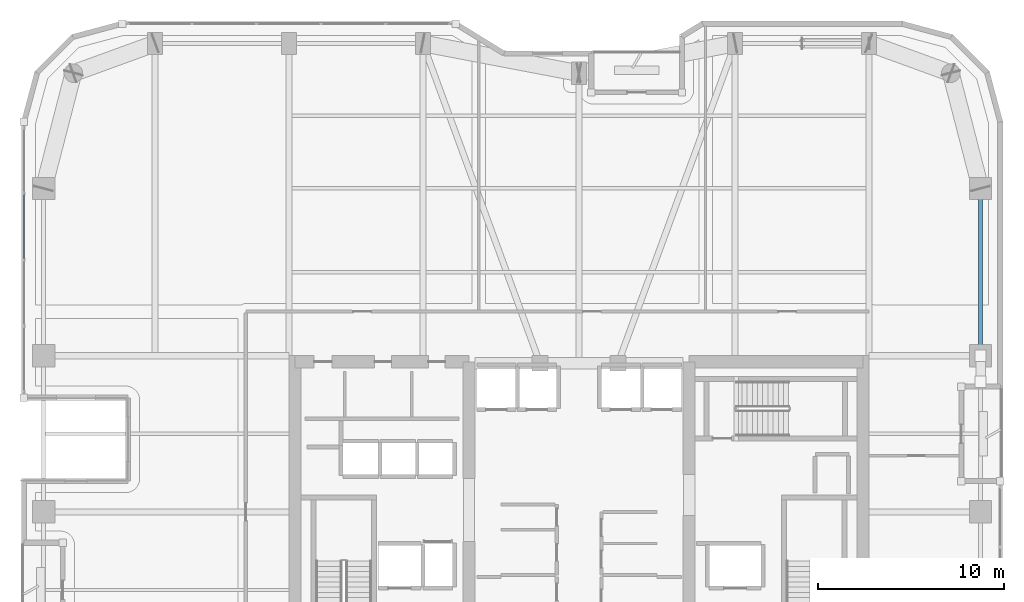
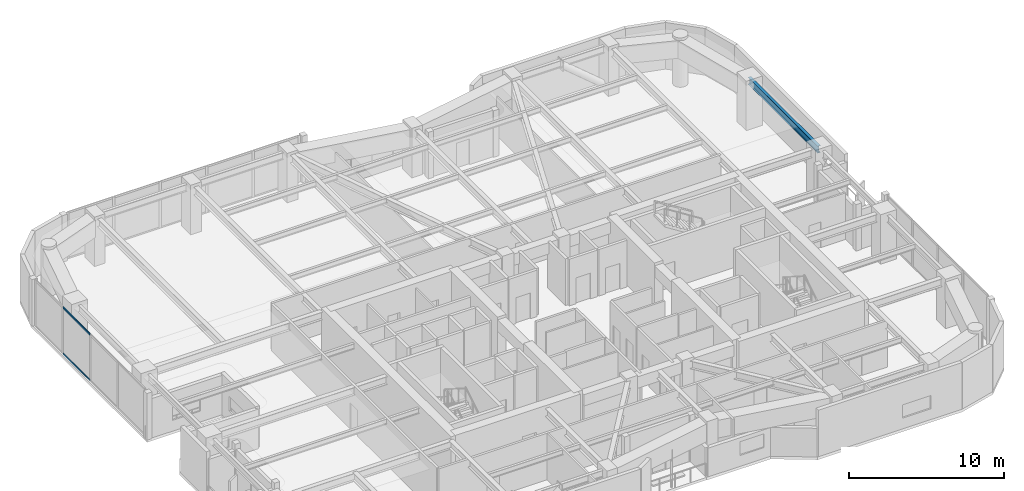
# One storey, part 8 of 26: 2 members, 1 beam, 1 element without a shape of its own.
"""IFC4 building model written with IfcOpenShell, lengths in metres."""

from ifc_helpers import new_model, si_unit, direction, frame, origin, origin_2d, place, context, subcontext, project, spatial, hollow_rectangle, i_section, extrude, material, layer, layer_set, material_profile, profile_set, type_object, element, aggregate, save


model = new_model("IFC4")

# Units and contexts
model_context = context("Model", 3, precision=1e-05, world=origin(), true_north=direction((0.0, 1.0)))
body_context = subcontext(model_context, "Body", "Model", "MODEL_VIEW")
ifc_project = project(units=[si_unit("LENGTHUNIT", "METRE"), si_unit("AREAUNIT", "SQUARE_METRE"), si_unit("VOLUMEUNIT", "CUBIC_METRE"), si_unit("PLANEANGLEUNIT", "RADIAN"), si_unit("MASSUNIT", "GRAM", prefix="KILO")], contexts=[model_context])

# Site, building, storey
site_placement = place(None, origin())
site = spatial("IfcSite", under=ifc_project, at=site_placement, CompositionType="ELEMENT")
building_placement = place(site_placement, origin())
building = spatial("IfcBuilding", under=site, at=building_placement, Name="Kiyonajd Concourse Tower", CompositionType="ELEMENT")
storey_placement = place(building_placement, frame((0.0, 0.0, 186.300048828125)))
storey = spatial("IfcBuildingStorey", under=building, at=storey_placement, Name="L47", CompositionType="ELEMENT", Elevation=186.300048828125)

# Beam
ifc_material_1 = material(Name="Steel ASTM A992 Grade 50", Category="steel")
ifc_material_profile_1 = material_profile(ifc_material_1, i_section(OverallWidth=0.214111328125, OverallDepth=0.549072265625, WebThickness=0.0146484375, FlangeThickness=0.023681640625, at=origin_2d()), Name="W530X138")
ifc_profile_set_1 = profile_set([ifc_material_profile_1], Name="Steel ASTM A992 Grade 50")
beam_type = type_object("IfcBeamType", Name="BM-SPAN-530A", PredefinedType="SPANDREL", material=ifc_profile_set_1)
beam_placement = place(storey_placement, frame((69.60009765625, 44.39990234375, 3.405517578125), z_axis=(0.0, 1.0, 0.0), x_axis=(-1.0, 0.0, 0.0)))
element("IfcBeam", 1, at=beam_placement, inside=storey, type_object=beam_type, Name="L47 Perimeter Bundled Tube Spandrel", PredefinedType="SPANDREL", context=body_context, shape_type="SweptSolid", body=[
    extrude(i_section(OverallWidth=0.214111328125, OverallDepth=0.549072265625, WebThickness=0.0146484375, FlangeThickness=0.023681640625, at=origin_2d()), origin(), (0.0, 0.0, 1.0), 9.0),
])

# Curtain wall, members
ifc_material_2 = material(Name="Thermally Broken Anodised Aluminium", Category="aluminium")
ifc_layer = layer(ifc_material_2, 0.179931640625)
ifc_layer_set = layer_set([ifc_layer], Name="Thermally Broken Anodised Aluminium")
curtain_wall_type = type_object("IfcCurtainWallType", Name="CW-SYS-03", PredefinedType="NOTDEFINED", material=ifc_layer_set)
curtain_wall_placement = place(storey_placement, origin())
curtain_wall = element("IfcCurtainWall", 2, at=curtain_wall_placement, inside=storey, type_object=curtain_wall_type, Name="L47 Unitised Curtain Wall CW3", PredefinedType="NOTDEFINED")
ifc_material_profile_2 = material_profile(ifc_material_2, hollow_rectangle(XDim=0.06494140625, YDim=0.139892578125, WallThickness=0.00390625, at=origin_2d()), Name="TRAN-65x140")
ifc_profile_set_2 = profile_set([ifc_material_profile_2], Name="Thermally Broken Anodised Aluminium")
member_type = type_object("IfcMemberType", Name="MB-CW-TRAN1", PredefinedType="USERDEFINED", material=ifc_profile_set_2)
member_1_placement = place(storey_placement, frame((18.139892578125, 49.59326171875, 0.032470703125), z_axis=(0.0, 1.0, 0.0), x_axis=(-1.0, 0.0, 0.0)))
member_1 = element("IfcMember", 3, at=member_1_placement, type_object=member_type, Name="CW3 transom 3.1", ObjectType="TRANSOM", PredefinedType="USERDEFINED", context=body_context, shape_type="SweptSolid", body=[
    extrude(hollow_rectangle(XDim=0.06494140625, YDim=0.139892578125, WallThickness=0.00390625, at=origin_2d()), origin(), (0.0, 0.0, 1.0), 3.50048828125),
])
member_2_placement = place(storey_placement, frame((18.139892578125, 49.59326171875, 3.6474609375), z_axis=(0.0, 1.0, 0.0), x_axis=(-1.0, 0.0, 0.0)))
member_2 = element("IfcMember", 4, at=member_2_placement, type_object=member_type, Name="CW3 transom 3.2", ObjectType="TRANSOM", PredefinedType="USERDEFINED", context=body_context, shape_type="SweptSolid", body=[
    extrude(hollow_rectangle(XDim=0.06494140625, YDim=0.139892578125, WallThickness=0.00390625, at=origin_2d()), origin(), (0.0, 0.0, 1.0), 3.50048828125),
])
aggregate(curtain_wall, [member_1, member_2])

save(model, "model.ifc")
